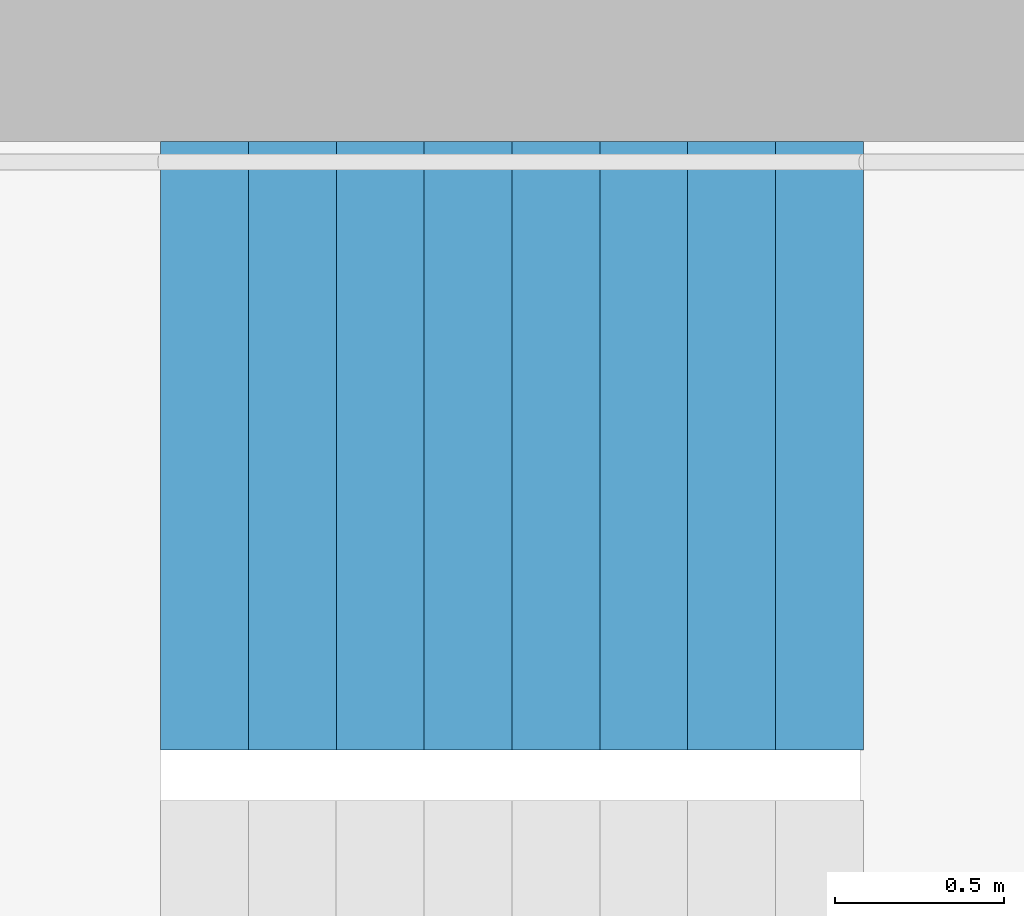
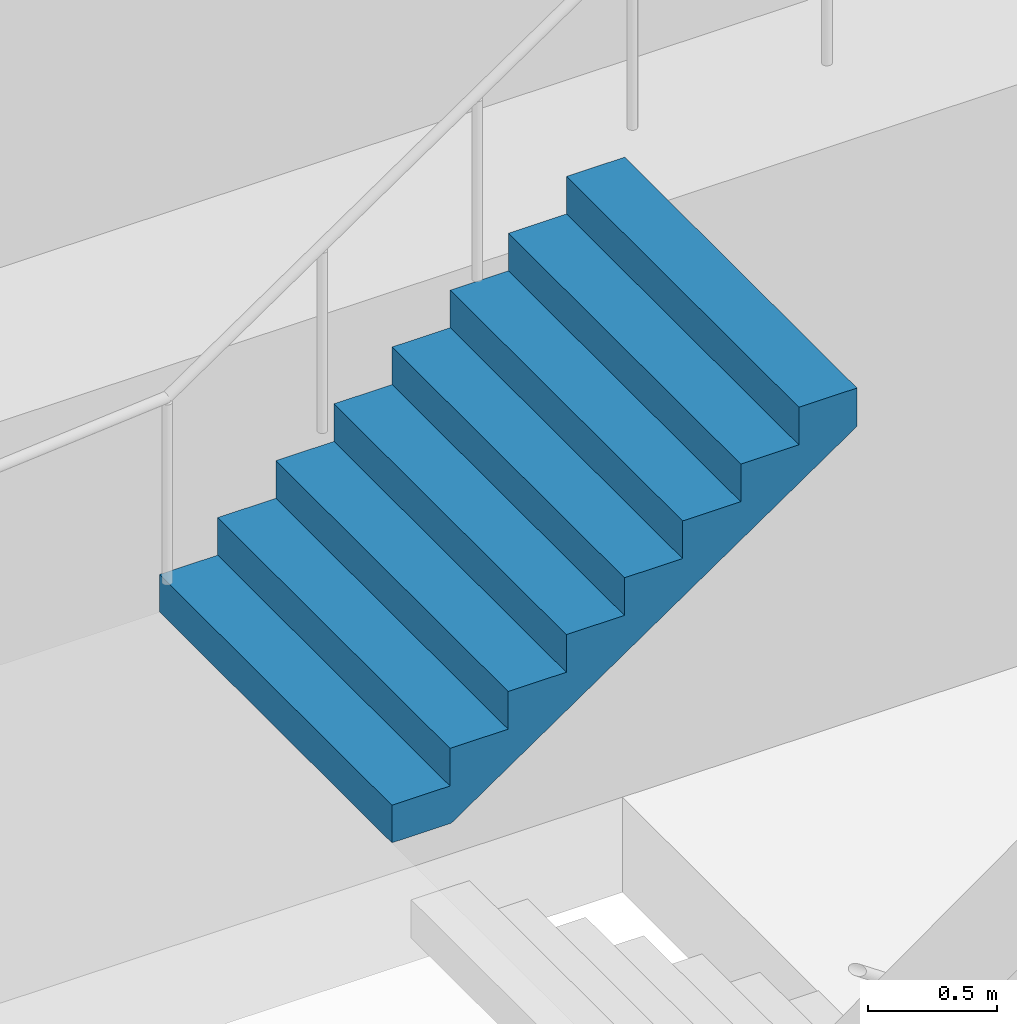
# One storey, part 25 of 26: 1 stair flight, 1 element without a shape of its own.
"""IFC4 building model written with IfcOpenShell, lengths in metres."""

import ifcopenshell
import ifcopenshell.guid

model = None  # the IFC model being written
_history = None  # IfcOwnerHistory: only IFC2X3 demands one
_inside = {}  # id of a spatial element -> (the spatial element, [elements in it])
_under = {}  # id of a project, library or spatial element -> (it, [spatial elements below it])
_declared = {}  # id of a project -> (the project, [libraries it declares])
_typed = {}  # id of a type object -> (the type object, [elements of that type])
_made_of = {}  # id of a material, layer set ... -> (it, [elements and type objects made of it])


def new_model(schema):
    """Start an empty IFC model of exactly this schema.

    Asked for "IFC4X3", IfcOpenShell would pick the latest addendum, in which some entities
    have other attributes; the version numbers below select the first issue.
    IFC2X3 requires an IfcOwnerHistory on every rooted entity: one is made here for all.
    """
    global model, _history
    if schema == "IFC4X3":
        model = ifcopenshell.file(schema_version=(4, 3, 0, 0))
    else:
        model = ifcopenshell.file(schema=schema)
    _inside.clear()
    _under.clear()
    _declared.clear()
    _typed.clear()
    _made_of.clear()
    _history = None
    if model.schema == "IFC2X3":
        org = make("IfcOrganization", Name="unknown")
        user = make(
            "IfcPersonAndOrganization",
            ThePerson=make("IfcPerson", FamilyName="unknown"),
            TheOrganization=org,
        )
        app = make(
            "IfcApplication",
            ApplicationDeveloper=org,
            Version="unknown",
            ApplicationFullName="unknown",
            ApplicationIdentifier="unknown",
        )
        _history = make(
            "IfcOwnerHistory",
            OwningUser=user,
            OwningApplication=app,
            ChangeAction="ADDED",
            CreationDate=0,
        )
    return model


def make(cls, **values):
    """One entity of the class cls with the attributes given. An attribute that is None is left unset."""
    return model.create_entity(
        cls, **{name: value for name, value in values.items() if value is not None}
    )


def rooted(cls, **values):
    """An entity with a GlobalId (a new one), such as an element, a storey or a relation."""
    return make(cls, GlobalId=ifcopenshell.guid.new(), OwnerHistory=_history, **values)


def si_unit(unit_type, name, prefix=None):
    """IfcSIUnit, for example si_unit("LENGTHUNIT", "METRE", prefix="MILLI")."""
    return make("IfcSIUnit", UnitType=unit_type, Prefix=prefix, Name=name)


def assignment(units):
    """IfcUnitAssignment: the units of a project."""
    return None if units is None else make("IfcUnitAssignment", Units=units)


def point(xyz):
    """IfcCartesianPoint."""
    return None if xyz is None else make("IfcCartesianPoint", Coordinates=xyz)


def direction(xyz):
    """IfcDirection."""
    return None if xyz is None else make("IfcDirection", DirectionRatios=xyz)


def frame(location, z_axis=None, x_axis=None):
    """IfcAxis2Placement3D, a coordinate frame: its origin and axes. An axis left out is left unset."""
    return make(
        "IfcAxis2Placement3D",
        Location=point(location),
        Axis=direction(z_axis),
        RefDirection=direction(x_axis),
    )


def origin():
    """The frame at (0, 0, 0) with its axes left unset."""
    return frame((0.0, 0.0, 0.0))


def place(relative_to, where):
    """IfcLocalPlacement: puts the frame where relative to a parent placement (None: the world)."""
    return make(
        "IfcLocalPlacement", PlacementRelTo=relative_to, RelativePlacement=where
    )


def context(
    kind, dimensions, precision=None, world=None, true_north=None, identifier=None
):
    """IfcGeometricRepresentationContext, for example the 3D "Model" context."""
    return make(
        "IfcGeometricRepresentationContext",
        ContextIdentifier=identifier,
        ContextType=kind,
        CoordinateSpaceDimension=dimensions,
        Precision=precision,
        WorldCoordinateSystem=world,
        TrueNorth=true_north,
    )


def subcontext(parent, identifier, kind, view, scale=None):
    """IfcGeometricRepresentationSubContext, for example "Body" below "Model"."""
    return make(
        "IfcGeometricRepresentationSubContext",
        ContextIdentifier=identifier,
        ContextType=kind,
        ParentContext=parent,
        TargetScale=scale,
        TargetView=view,
    )


def project(units=None, contexts=None):
    """IfcProject with its units and contexts."""
    return rooted(
        "IfcProject",
        Name="project",
        RepresentationContexts=contexts,
        UnitsInContext=assignment(units),
    )


def spatial(cls, under=None, at=None, **own):
    """A site, building, storey or space (cls), placed at a placement, below another one or the project."""
    s = rooted(cls, ObjectPlacement=at, **own)
    if under is not None:
        _under.setdefault(under.id(), (under, []))[1].append(s)
    return s


def point_list(points):
    """IfcCartesianPointList2D or 3D."""
    cls = (
        "IfcCartesianPointList2D" if len(points[0]) == 2 else "IfcCartesianPointList3D"
    )
    return make(cls, CoordList=points)


def triangles(points, corners, closed=None, point_numbers=None):
    """IfcTriangulatedFaceSet: each triangle names its three corners, points numbered from 1."""
    return make(
        "IfcTriangulatedFaceSet",
        Coordinates=point_list(points),
        Closed=closed,
        CoordIndex=corners,
        PnIndex=point_numbers,
    )


def shape(context_of_items, identifier, shape_type, items):
    """IfcShapeRepresentation: the items that make up one representation, for example the "Body"."""
    return make(
        "IfcShapeRepresentation",
        ContextOfItems=context_of_items,
        RepresentationIdentifier=identifier,
        RepresentationType=shape_type,
        Items=items,
    )


def material(Name=None, Category=None):
    """IfcMaterial."""
    return make("IfcMaterial", Name=Name, Category=Category)


def made_of(thing, what):
    """Note that an element or type object is made of a material, layer set ...; save() writes the relation."""
    if what is not None:
        _made_of.setdefault(what.id(), (what, []))[1].append(thing)
    return thing


def type_object(cls, material=None, **own):
    """A type object (cls), such as IfcWallType, which elements share."""
    return made_of(rooted(cls, **own), material)


def element(
    cls,
    number,
    at=None,
    inside=None,
    cuts=None,
    type_object=None,
    material=None,
    context=None,
    identifier="Body",
    shape_type=None,
    held_by="IfcProductDefinitionShape",
    body=None,
    shapes=None,
    **own,
):
    """One element of the class cls, such as IfcWall. Its Tag is "e" and its number.

    at: its placement. inside: the storey or other place that contains it. cuts: it is an
    opening in that element (IfcRelVoidsElement). A single representation is given by context,
    identifier, shape_type and body (its items); several are given by shapes. held_by: the class
    of the entity that holds the representations. save() writes the other relations.
    """
    e = rooted(cls, Tag="e%d" % number, ObjectPlacement=at, **own)
    if body is not None:
        shapes = [shape(context, identifier, shape_type, body)]
    if shapes is not None:
        e.Representation = make(held_by, Representations=shapes)
    if inside is not None:
        _inside.setdefault(inside.id(), (inside, []))[1].append(e)
    if cuts is not None:
        rooted(
            "IfcRelVoidsElement", RelatingBuildingElement=cuts, RelatedOpeningElement=e
        )
    if type_object is not None:
        _typed.setdefault(type_object.id(), (type_object, []))[1].append(e)
    return made_of(e, material)


def aggregate(whole, parts):
    """IfcRelAggregates: a whole, such as a stair, and the parts it consists of."""
    return rooted("IfcRelAggregates", RelatingObject=whole, RelatedObjects=parts)


def save(model, path):
    """Write the relations noted so far, then the file.

    IfcRelAggregates (storeys below a building ...), IfcRelContainedInSpatialStructure (elements
    in a storey), IfcRelDefinesByType, IfcRelAssociatesMaterial and IfcRelDeclares: one each for
    every whole, place, type object, material and project.
    """
    for whole, parts in _under.values():
        aggregate(whole, parts)
    for where, things in _inside.values():
        rooted(
            "IfcRelContainedInSpatialStructure",
            RelatedElements=things,
            RelatingStructure=where,
        )
    for kind, things in _typed.values():
        rooted("IfcRelDefinesByType", RelatedObjects=things, RelatingType=kind)
    for what, things in _made_of.values():
        rooted("IfcRelAssociatesMaterial", RelatedObjects=things, RelatingMaterial=what)
    for by, libraries in _declared.values():
        rooted("IfcRelDeclares", RelatingContext=by, RelatedDefinitions=libraries)
    model.write(path)


model = new_model("IFC4")

# Units and contexts
model_context = context("Model", 3, precision=1e-05, world=origin(), true_north=direction((0.0, 1.0)))
body_context = subcontext(model_context, "Body", "Model", "MODEL_VIEW")
ifc_project = project(units=[si_unit("LENGTHUNIT", "METRE"), si_unit("AREAUNIT", "SQUARE_METRE"), si_unit("VOLUMEUNIT", "CUBIC_METRE"), si_unit("PLANEANGLEUNIT", "RADIAN"), si_unit("MASSUNIT", "GRAM", prefix="KILO")], contexts=[model_context])

# Site, building, storey
site_placement = place(None, origin())
site = spatial("IfcSite", under=ifc_project, at=site_placement, CompositionType="ELEMENT")
building_placement = place(site_placement, origin())
building = spatial("IfcBuilding", under=site, at=building_placement, Name="Hakoniwa Tower and Hamabe Station Hall", CompositionType="ELEMENT")
storey_placement = place(building_placement, frame((0.0, 0.0, 134.199951171875)))
storey = spatial("IfcBuildingStorey", under=building, at=storey_placement, Name="L37", CompositionType="ELEMENT", Elevation=134.199951171875)

# Stair, stair flight
ifc_material_1 = material(Name="Concrete C40", Category="concrete")
stair_type = type_object("IfcStairType", Name="ESCAPE STAIR 1800", PredefinedType="HALF_TURN_STAIR", material=ifc_material_1)
stair_placement = place(storey_placement, origin())
stair = element("IfcStair", 1, at=stair_placement, inside=storey, type_object=stair_type, Name="Escape stair ST-3 L37", PredefinedType="HALF_TURN_STAIR")
ifc_material_2 = material(Name="Concrete C40", Category="concrete")
stair_flight_type = type_object("IfcStairFlightType", Name="STAIR FLIGHT 1800", PredefinedType="STRAIGHT", material=ifc_material_2)
stair_flight_placement = place(storey_placement, frame((22.320068359375, 6.60009765625, 1.60009765625), z_axis=(0.0, 0.0, 1.0), x_axis=(1.0, 0.0, 0.0)))
stair_flight = element("IfcStairFlight", 2, at=stair_flight_placement, type_object=stair_flight_type, Name="ST-3 flight 2", NumberOfRisers=9, NumberOfTreads=8, PredefinedType="STRAIGHT", RiserHeight=0.177777778, TreadLength=0.26, context=body_context, shape_type="Tessellation", body=[
    triangles([(0.0, 0.89990234375, 0.0), (0.260009765625, 0.89990234375, 0.0), (0.265625, 0.89990234375, 0.0), (0.52001953125, 0.89990234375, 0.174072265625), (0.780029296875, 0.89990234375, 0.351806640625), (1.0400390625, 0.89990234375, 0.529541015625), (1.300048828125, 0.89990234375, 0.707275390625), (1.56005859375, 0.89990234375, 0.885009765625), (1.820068359375, 0.89990234375, 1.062744140625), (2.080078125, 0.89990234375, 1.24072265625), (2.080078125, 0.89990234375, 1.422119140625), (1.820068359375, 0.89990234375, 1.422119140625), (1.820068359375, 0.89990234375, 1.244384765625), (1.56005859375, 0.89990234375, 1.244384765625), (1.56005859375, 0.89990234375, 1.066650390625), (1.300048828125, 0.89990234375, 1.066650390625), (1.300048828125, 0.89990234375, 0.888916015625), (1.0400390625, 0.89990234375, 0.888916015625), (1.0400390625, 0.89990234375, 0.711181640625), (0.780029296875, 0.89990234375, 0.711181640625), (0.780029296875, 0.89990234375, 0.533447265625), (0.52001953125, 0.89990234375, 0.533447265625), (0.52001953125, 0.89990234375, 0.35546875), (0.265625, 0.89990234375, 0.35546875), (0.260009765625, 0.89990234375, 0.35546875), (0.260009765625, 0.89990234375, 0.177734375), (0.0, 0.89990234375, 0.177734375), (0.0, 0.06005859375, 0.0), (0.260009765625, 0.06005859375, 0.0), (0.265625, 0.06005859375, 0.0), (0.52001953125, 0.06005859375, 0.174072265625), (0.780029296875, 0.06005859375, 0.351806640625), (1.0400390625, 0.06005859375, 0.529541015625), (1.300048828125, 0.06005859375, 0.707275390625), (1.56005859375, 0.06005859375, 0.885009765625), (1.820068359375, 0.06005859375, 1.062744140625), (2.080078125, 0.06005859375, 1.24072265625), (2.080078125, 0.06005859375, 1.422119140625), (1.820068359375, 0.06005859375, 1.422119140625), (1.820068359375, 0.06005859375, 1.244384765625), (1.56005859375, 0.06005859375, 1.244384765625), (1.56005859375, 0.06005859375, 1.066650390625), (1.300048828125, 0.06005859375, 1.066650390625), (1.300048828125, 0.06005859375, 0.888916015625), (1.0400390625, 0.06005859375, 0.888916015625), (1.0400390625, 0.06005859375, 0.711181640625), (0.780029296875, 0.06005859375, 0.711181640625), (0.780029296875, 0.06005859375, 0.533447265625), (0.52001953125, 0.06005859375, 0.533447265625), (0.52001953125, 0.06005859375, 0.35546875), (0.265625, 0.06005859375, 0.35546875), (0.260009765625, 0.06005859375, 0.35546875), (0.260009765625, 0.06005859375, 0.177734375), (0.0, 0.06005859375, 0.177734375), (0.0, 0.04296875, 0.0), (0.260009765625, 0.04296875, 0.0), (0.265625, 0.04296875, 0.0), (0.52001953125, 0.04296875, 0.174072265625), (0.780029296875, 0.04296875, 0.351806640625), (1.0400390625, 0.04296875, 0.529541015625), (1.300048828125, 0.04296875, 0.707275390625), (1.56005859375, 0.04296875, 0.885009765625), (1.820068359375, 0.04296875, 1.062744140625), (2.080078125, 0.04296875, 1.24072265625), (2.080078125, 0.04296875, 1.422119140625), (1.820068359375, 0.04296875, 1.422119140625), (1.820068359375, 0.04296875, 1.244384765625), (1.56005859375, 0.04296875, 1.244384765625), (1.56005859375, 0.04296875, 1.066650390625), (1.300048828125, 0.04296875, 1.066650390625), (1.300048828125, 0.04296875, 0.888916015625), (1.0400390625, 0.04296875, 0.888916015625), (1.0400390625, 0.04296875, 0.711181640625), (0.780029296875, 0.04296875, 0.711181640625), (0.780029296875, 0.04296875, 0.533447265625), (0.52001953125, 0.04296875, 0.533447265625), (0.52001953125, 0.04296875, 0.35546875), (0.265625, 0.04296875, 0.35546875), (0.260009765625, 0.04296875, 0.35546875), (0.260009765625, 0.04296875, 0.177734375), (0.0, 0.04296875, 0.177734375), (0.0, 0.025634765625, 0.0), (0.260009765625, 0.025634765625, 0.0), (0.265625, 0.025634765625, 0.0), (0.52001953125, 0.025634765625, 0.174072265625), (0.780029296875, 0.025634765625, 0.351806640625), (1.0400390625, 0.025634765625, 0.529541015625), (1.300048828125, 0.025634765625, 0.707275390625), (1.56005859375, 0.025634765625, 0.885009765625), (1.820068359375, 0.025634765625, 1.062744140625), (2.080078125, 0.025634765625, 1.24072265625), (2.080078125, 0.025634765625, 1.422119140625), (1.820068359375, 0.025634765625, 1.422119140625), (1.820068359375, 0.025634765625, 1.244384765625), (1.56005859375, 0.025634765625, 1.244384765625), (1.56005859375, 0.025634765625, 1.066650390625), (1.300048828125, 0.025634765625, 1.066650390625), (1.300048828125, 0.025634765625, 0.888916015625), (1.0400390625, 0.025634765625, 0.888916015625), (1.0400390625, 0.025634765625, 0.711181640625), (0.780029296875, 0.025634765625, 0.711181640625), (0.780029296875, 0.025634765625, 0.533447265625), (0.52001953125, 0.025634765625, 0.533447265625), (0.52001953125, 0.025634765625, 0.35546875), (0.265625, 0.025634765625, 0.35546875), (0.260009765625, 0.025634765625, 0.35546875), (0.260009765625, 0.025634765625, 0.177734375), (0.0, 0.025634765625, 0.177734375), (0.0, 0.008544921875, 0.0), (0.260009765625, 0.008544921875, 0.0), (0.265625, 0.008544921875, 0.0), (0.52001953125, 0.008544921875, 0.174072265625), (0.780029296875, 0.008544921875, 0.351806640625), (1.0400390625, 0.008544921875, 0.529541015625), (1.300048828125, 0.008544921875, 0.707275390625), (1.56005859375, 0.008544921875, 0.885009765625), (1.820068359375, 0.008544921875, 1.062744140625), (2.080078125, 0.008544921875, 1.24072265625), (2.080078125, 0.008544921875, 1.422119140625), (1.820068359375, 0.008544921875, 1.422119140625), (1.820068359375, 0.008544921875, 1.244384765625), (1.56005859375, 0.008544921875, 1.244384765625), (1.56005859375, 0.008544921875, 1.066650390625), (1.300048828125, 0.008544921875, 1.066650390625), (1.300048828125, 0.008544921875, 0.888916015625), (1.0400390625, 0.008544921875, 0.888916015625), (1.0400390625, 0.008544921875, 0.711181640625), (0.780029296875, 0.008544921875, 0.711181640625), (0.780029296875, 0.008544921875, 0.533447265625), (0.52001953125, 0.008544921875, 0.533447265625), (0.52001953125, 0.008544921875, 0.35546875), (0.265625, 0.008544921875, 0.35546875), (0.260009765625, 0.008544921875, 0.35546875), (0.260009765625, 0.008544921875, 0.177734375), (0.0, 0.008544921875, 0.177734375), (0.0, -0.008544921875, 0.0), (0.260009765625, -0.008544921875, 0.0), (0.265625, -0.008544921875, 0.0), (0.52001953125, -0.008544921875, 0.174072265625), (0.780029296875, -0.008544921875, 0.351806640625), (1.0400390625, -0.008544921875, 0.529541015625), (1.300048828125, -0.008544921875, 0.707275390625), (1.56005859375, -0.008544921875, 0.885009765625), (1.820068359375, -0.008544921875, 1.062744140625), (2.080078125, -0.008544921875, 1.24072265625), (2.080078125, -0.008544921875, 1.422119140625), (1.820068359375, -0.008544921875, 1.422119140625), (1.820068359375, -0.008544921875, 1.244384765625), (1.56005859375, -0.008544921875, 1.244384765625), (1.56005859375, -0.008544921875, 1.066650390625), (1.300048828125, -0.008544921875, 1.066650390625), (1.300048828125, -0.008544921875, 0.888916015625), (1.0400390625, -0.008544921875, 0.888916015625), (1.0400390625, -0.008544921875, 0.711181640625), (0.780029296875, -0.008544921875, 0.711181640625), (0.780029296875, -0.008544921875, 0.533447265625), (0.52001953125, -0.008544921875, 0.533447265625), (0.52001953125, -0.008544921875, 0.35546875), (0.265625, -0.008544921875, 0.35546875), (0.260009765625, -0.008544921875, 0.35546875), (0.260009765625, -0.008544921875, 0.177734375), (0.0, -0.008544921875, 0.177734375), (0.0, -0.025634765625, 0.0), (0.260009765625, -0.025634765625, 0.0), (0.265625, -0.025634765625, 0.0), (0.52001953125, -0.025634765625, 0.174072265625), (0.780029296875, -0.025634765625, 0.351806640625), (1.0400390625, -0.025634765625, 0.529541015625), (1.300048828125, -0.025634765625, 0.707275390625), (1.56005859375, -0.025634765625, 0.885009765625), (1.820068359375, -0.025634765625, 1.062744140625), (2.080078125, -0.025634765625, 1.24072265625), (2.080078125, -0.025634765625, 1.422119140625), (1.820068359375, -0.025634765625, 1.422119140625), (1.820068359375, -0.025634765625, 1.244384765625), (1.56005859375, -0.025634765625, 1.244384765625), (1.56005859375, -0.025634765625, 1.066650390625), (1.300048828125, -0.025634765625, 1.066650390625), (1.300048828125, -0.025634765625, 0.888916015625), (1.0400390625, -0.025634765625, 0.888916015625), (1.0400390625, -0.025634765625, 0.711181640625), (0.780029296875, -0.025634765625, 0.711181640625), (0.780029296875, -0.025634765625, 0.533447265625), (0.52001953125, -0.025634765625, 0.533447265625), (0.52001953125, -0.025634765625, 0.35546875), (0.265625, -0.025634765625, 0.35546875), (0.260009765625, -0.025634765625, 0.35546875), (0.260009765625, -0.025634765625, 0.177734375), (0.0, -0.025634765625, 0.177734375), (0.0, -0.04296875, 0.0), (0.260009765625, -0.04296875, 0.0), (0.265625, -0.04296875, 0.0), (0.52001953125, -0.04296875, 0.174072265625), (0.780029296875, -0.04296875, 0.351806640625), (1.0400390625, -0.04296875, 0.529541015625), (1.300048828125, -0.04296875, 0.707275390625), (1.56005859375, -0.04296875, 0.885009765625), (1.820068359375, -0.04296875, 1.062744140625), (2.080078125, -0.04296875, 1.24072265625), (2.080078125, -0.04296875, 1.422119140625), (1.820068359375, -0.04296875, 1.422119140625), (1.820068359375, -0.04296875, 1.244384765625), (1.56005859375, -0.04296875, 1.244384765625), (1.56005859375, -0.04296875, 1.066650390625), (1.300048828125, -0.04296875, 1.066650390625), (1.300048828125, -0.04296875, 0.888916015625), (1.0400390625, -0.04296875, 0.888916015625), (1.0400390625, -0.04296875, 0.711181640625), (0.780029296875, -0.04296875, 0.711181640625), (0.780029296875, -0.04296875, 0.533447265625), (0.52001953125, -0.04296875, 0.533447265625), (0.52001953125, -0.04296875, 0.35546875), (0.265625, -0.04296875, 0.35546875), (0.260009765625, -0.04296875, 0.35546875), (0.260009765625, -0.04296875, 0.177734375), (0.0, -0.04296875, 0.177734375), (0.0, -0.06005859375, 0.0), (0.260009765625, -0.06005859375, 0.0), (0.265625, -0.06005859375, 0.0), (0.52001953125, -0.06005859375, 0.174072265625), (0.780029296875, -0.06005859375, 0.351806640625), (1.0400390625, -0.06005859375, 0.529541015625), (1.300048828125, -0.06005859375, 0.707275390625), (1.56005859375, -0.06005859375, 0.885009765625), (1.820068359375, -0.06005859375, 1.062744140625), (2.080078125, -0.06005859375, 1.24072265625), (2.080078125, -0.06005859375, 1.422119140625), (1.820068359375, -0.06005859375, 1.422119140625), (1.820068359375, -0.06005859375, 1.244384765625), (1.56005859375, -0.06005859375, 1.244384765625), (1.56005859375, -0.06005859375, 1.066650390625), (1.300048828125, -0.06005859375, 1.066650390625), (1.300048828125, -0.06005859375, 0.888916015625), (1.0400390625, -0.06005859375, 0.888916015625), (1.0400390625, -0.06005859375, 0.711181640625), (0.780029296875, -0.06005859375, 0.711181640625), (0.780029296875, -0.06005859375, 0.533447265625), (0.52001953125, -0.06005859375, 0.533447265625), (0.52001953125, -0.06005859375, 0.35546875), (0.265625, -0.06005859375, 0.35546875), (0.260009765625, -0.06005859375, 0.35546875), (0.260009765625, -0.06005859375, 0.177734375), (0.0, -0.06005859375, 0.177734375), (0.0, -0.89990234375, 0.0), (0.260009765625, -0.89990234375, 0.0), (0.265625, -0.89990234375, 0.0), (0.52001953125, -0.89990234375, 0.174072265625), (0.780029296875, -0.89990234375, 0.351806640625), (1.0400390625, -0.89990234375, 0.529541015625), (1.300048828125, -0.89990234375, 0.707275390625), (1.56005859375, -0.89990234375, 0.885009765625), (1.820068359375, -0.89990234375, 1.062744140625), (2.080078125, -0.89990234375, 1.24072265625), (2.080078125, -0.89990234375, 1.422119140625), (1.820068359375, -0.89990234375, 1.422119140625), (1.820068359375, -0.89990234375, 1.244384765625), (1.56005859375, -0.89990234375, 1.244384765625), (1.56005859375, -0.89990234375, 1.066650390625), (1.300048828125, -0.89990234375, 1.066650390625), (1.300048828125, -0.89990234375, 0.888916015625), (1.0400390625, -0.89990234375, 0.888916015625), (1.0400390625, -0.89990234375, 0.711181640625), (0.780029296875, -0.89990234375, 0.711181640625), (0.780029296875, -0.89990234375, 0.533447265625), (0.52001953125, -0.89990234375, 0.533447265625), (0.52001953125, -0.89990234375, 0.35546875), (0.265625, -0.89990234375, 0.35546875), (0.260009765625, -0.89990234375, 0.35546875), (0.260009765625, -0.89990234375, 0.177734375), (0.0, -0.89990234375, 0.177734375)], [[2, 27, 26], [245, 269, 270], [2, 1, 27], [245, 270, 244], [3, 25, 24], [246, 267, 268], [3, 26, 25], [246, 268, 269], [3, 2, 26], [246, 269, 245], [4, 24, 23], [247, 266, 267], [4, 3, 24], [247, 267, 246], [5, 22, 21], [248, 264, 265], [5, 23, 22], [248, 265, 266], [5, 4, 23], [248, 266, 247], [6, 20, 19], [249, 262, 263], [6, 21, 20], [249, 263, 264], [6, 5, 21], [249, 264, 248], [7, 18, 17], [250, 260, 261], [7, 19, 18], [250, 261, 262], [7, 6, 19], [250, 262, 249], [8, 16, 15], [251, 258, 259], [8, 17, 16], [251, 259, 260], [8, 7, 17], [251, 260, 250], [9, 14, 13], [252, 256, 257], [9, 15, 14], [252, 257, 258], [9, 8, 15], [252, 258, 251], [10, 12, 11], [253, 254, 255], [10, 13, 12], [253, 255, 256], [10, 9, 13], [253, 256, 252], [1, 2, 29], [1, 29, 28], [28, 29, 56], [28, 56, 55], [55, 56, 83], [55, 83, 82], [82, 83, 110], [82, 110, 109], [109, 110, 137], [109, 137, 136], [136, 137, 164], [136, 164, 163], [163, 164, 191], [163, 191, 190], [190, 191, 218], [190, 218, 217], [217, 218, 245], [217, 245, 244], [2, 3, 30], [2, 30, 29], [29, 30, 57], [29, 57, 56], [56, 57, 84], [56, 84, 83], [83, 84, 111], [83, 111, 110], [110, 111, 138], [110, 138, 137], [137, 138, 165], [137, 165, 164], [164, 165, 192], [164, 192, 191], [191, 192, 219], [191, 219, 218], [218, 219, 246], [218, 246, 245], [3, 4, 31], [3, 31, 30], [30, 31, 58], [30, 58, 57], [57, 58, 85], [57, 85, 84], [84, 85, 112], [84, 112, 111], [111, 112, 139], [111, 139, 138], [138, 139, 166], [138, 166, 165], [165, 166, 193], [165, 193, 192], [192, 193, 220], [192, 220, 219], [219, 220, 247], [219, 247, 246], [4, 5, 32], [4, 32, 31], [31, 32, 59], [31, 59, 58], [58, 59, 86], [58, 86, 85], [85, 86, 113], [85, 113, 112], [112, 113, 140], [112, 140, 139], [139, 140, 167], [139, 167, 166], [166, 167, 194], [166, 194, 193], [193, 194, 221], [193, 221, 220], [220, 221, 248], [220, 248, 247], [5, 6, 33], [5, 33, 32], [32, 33, 60], [32, 60, 59], [59, 60, 87], [59, 87, 86], [86, 87, 114], [86, 114, 113], [113, 114, 141], [113, 141, 140], [140, 141, 168], [140, 168, 167], [167, 168, 195], [167, 195, 194], [194, 195, 222], [194, 222, 221], [221, 222, 249], [221, 249, 248], [6, 7, 34], [6, 34, 33], [33, 34, 61], [33, 61, 60], [60, 61, 88], [60, 88, 87], [87, 88, 115], [87, 115, 114], [114, 115, 142], [114, 142, 141], [141, 142, 169], [141, 169, 168], [168, 169, 196], [168, 196, 195], [195, 196, 223], [195, 223, 222], [222, 223, 250], [222, 250, 249], [7, 8, 35], [7, 35, 34], [34, 35, 62], [34, 62, 61], [61, 62, 89], [61, 89, 88], [88, 89, 116], [88, 116, 115], [115, 116, 143], [115, 143, 142], [142, 143, 170], [142, 170, 169], [169, 170, 197], [169, 197, 196], [196, 197, 224], [196, 224, 223], [223, 224, 251], [223, 251, 250], [8, 9, 36], [8, 36, 35], [35, 36, 63], [35, 63, 62], [62, 63, 90], [62, 90, 89], [89, 90, 117], [89, 117, 116], [116, 117, 144], [116, 144, 143], [143, 144, 171], [143, 171, 170], [170, 171, 198], [170, 198, 197], [197, 198, 225], [197, 225, 224], [224, 225, 252], [224, 252, 251], [9, 10, 37], [9, 37, 36], [36, 37, 64], [36, 64, 63], [63, 64, 91], [63, 91, 90], [90, 91, 118], [90, 118, 117], [117, 118, 145], [117, 145, 144], [144, 145, 172], [144, 172, 171], [171, 172, 199], [171, 199, 198], [198, 199, 226], [198, 226, 225], [225, 226, 253], [225, 253, 252], [10, 11, 38], [10, 38, 37], [37, 38, 65], [37, 65, 64], [64, 65, 92], [64, 92, 91], [91, 92, 119], [91, 119, 118], [118, 119, 146], [118, 146, 145], [145, 146, 173], [145, 173, 172], [172, 173, 200], [172, 200, 199], [199, 200, 227], [199, 227, 226], [226, 227, 254], [226, 254, 253], [11, 12, 39], [11, 39, 38], [38, 39, 66], [38, 66, 65], [65, 66, 93], [65, 93, 92], [92, 93, 120], [92, 120, 119], [119, 120, 147], [119, 147, 146], [146, 147, 174], [146, 174, 173], [173, 174, 201], [173, 201, 200], [200, 201, 228], [200, 228, 227], [227, 228, 255], [227, 255, 254], [12, 13, 40], [12, 40, 39], [39, 40, 67], [39, 67, 66], [66, 67, 94], [66, 94, 93], [93, 94, 121], [93, 121, 120], [120, 121, 148], [120, 148, 147], [147, 148, 175], [147, 175, 174], [174, 175, 202], [174, 202, 201], [201, 202, 229], [201, 229, 228], [228, 229, 256], [228, 256, 255], [13, 14, 41], [13, 41, 40], [40, 41, 68], [40, 68, 67], [67, 68, 95], [67, 95, 94], [94, 95, 122], [94, 122, 121], [121, 122, 149], [121, 149, 148], [148, 149, 176], [148, 176, 175], [175, 176, 203], [175, 203, 202], [202, 203, 230], [202, 230, 229], [229, 230, 257], [229, 257, 256], [14, 15, 42], [14, 42, 41], [41, 42, 69], [41, 69, 68], [68, 69, 96], [68, 96, 95], [95, 96, 123], [95, 123, 122], [122, 123, 150], [122, 150, 149], [149, 150, 177], [149, 177, 176], [176, 177, 204], [176, 204, 203], [203, 204, 231], [203, 231, 230], [230, 231, 258], [230, 258, 257], [15, 16, 43], [15, 43, 42], [42, 43, 70], [42, 70, 69], [69, 70, 97], [69, 97, 96], [96, 97, 124], [96, 124, 123], [123, 124, 151], [123, 151, 150], [150, 151, 178], [150, 178, 177], [177, 178, 205], [177, 205, 204], [204, 205, 232], [204, 232, 231], [231, 232, 259], [231, 259, 258], [16, 17, 44], [16, 44, 43], [43, 44, 71], [43, 71, 70], [70, 71, 98], [70, 98, 97], [97, 98, 125], [97, 125, 124], [124, 125, 152], [124, 152, 151], [151, 152, 179], [151, 179, 178], [178, 179, 206], [178, 206, 205], [205, 206, 233], [205, 233, 232], [232, 233, 260], [232, 260, 259], [17, 18, 45], [17, 45, 44], [44, 45, 72], [44, 72, 71], [71, 72, 99], [71, 99, 98], [98, 99, 126], [98, 126, 125], [125, 126, 153], [125, 153, 152], [152, 153, 180], [152, 180, 179], [179, 180, 207], [179, 207, 206], [206, 207, 234], [206, 234, 233], [233, 234, 261], [233, 261, 260], [18, 19, 46], [18, 46, 45], [45, 46, 73], [45, 73, 72], [72, 73, 100], [72, 100, 99], [99, 100, 127], [99, 127, 126], [126, 127, 154], [126, 154, 153], [153, 154, 181], [153, 181, 180], [180, 181, 208], [180, 208, 207], [207, 208, 235], [207, 235, 234], [234, 235, 262], [234, 262, 261], [19, 20, 47], [19, 47, 46], [46, 47, 74], [46, 74, 73], [73, 74, 101], [73, 101, 100], [100, 101, 128], [100, 128, 127], [127, 128, 155], [127, 155, 154], [154, 155, 182], [154, 182, 181], [181, 182, 209], [181, 209, 208], [208, 209, 236], [208, 236, 235], [235, 236, 263], [235, 263, 262], [20, 21, 48], [20, 48, 47], [47, 48, 75], [47, 75, 74], [74, 75, 102], [74, 102, 101], [101, 102, 129], [101, 129, 128], [128, 129, 156], [128, 156, 155], [155, 156, 183], [155, 183, 182], [182, 183, 210], [182, 210, 209], [209, 210, 237], [209, 237, 236], [236, 237, 264], [236, 264, 263], [21, 22, 49], [21, 49, 48], [48, 49, 76], [48, 76, 75], [75, 76, 103], [75, 103, 102], [102, 103, 130], [102, 130, 129], [129, 130, 157], [129, 157, 156], [156, 157, 184], [156, 184, 183], [183, 184, 211], [183, 211, 210], [210, 211, 238], [210, 238, 237], [237, 238, 265], [237, 265, 264], [22, 23, 50], [22, 50, 49], [49, 50, 77], [49, 77, 76], [76, 77, 104], [76, 104, 103], [103, 104, 131], [103, 131, 130], [130, 131, 158], [130, 158, 157], [157, 158, 185], [157, 185, 184], [184, 185, 212], [184, 212, 211], [211, 212, 239], [211, 239, 238], [238, 239, 266], [238, 266, 265], [23, 24, 51], [23, 51, 50], [50, 51, 78], [50, 78, 77], [77, 78, 105], [77, 105, 104], [104, 105, 132], [104, 132, 131], [131, 132, 159], [131, 159, 158], [158, 159, 186], [158, 186, 185], [185, 186, 213], [185, 213, 212], [212, 213, 240], [212, 240, 239], [239, 240, 267], [239, 267, 266], [24, 25, 52], [24, 52, 51], [51, 52, 79], [51, 79, 78], [78, 79, 106], [78, 106, 105], [105, 106, 133], [105, 133, 132], [132, 133, 160], [132, 160, 159], [159, 160, 187], [159, 187, 186], [186, 187, 214], [186, 214, 213], [213, 214, 241], [213, 241, 240], [240, 241, 268], [240, 268, 267], [25, 26, 53], [25, 53, 52], [52, 53, 80], [52, 80, 79], [79, 80, 107], [79, 107, 106], [106, 107, 134], [106, 134, 133], [133, 134, 161], [133, 161, 160], [160, 161, 188], [160, 188, 187], [187, 188, 215], [187, 215, 214], [214, 215, 242], [214, 242, 241], [241, 242, 269], [241, 269, 268], [26, 27, 54], [26, 54, 53], [53, 54, 81], [53, 81, 80], [80, 81, 108], [80, 108, 107], [107, 108, 135], [107, 135, 134], [134, 135, 162], [134, 162, 161], [161, 162, 189], [161, 189, 188], [188, 189, 216], [188, 216, 215], [215, 216, 243], [215, 243, 242], [242, 243, 270], [242, 270, 269], [27, 1, 28], [27, 28, 54], [54, 28, 55], [54, 55, 81], [81, 55, 82], [81, 82, 108], [108, 82, 109], [108, 109, 135], [135, 109, 136], [135, 136, 162], [162, 136, 163], [162, 163, 189], [189, 163, 190], [189, 190, 216], [216, 190, 217], [216, 217, 243], [243, 217, 244], [243, 244, 270]], closed=True),
])
aggregate(stair, [stair_flight])

save(model, "model.ifc")
